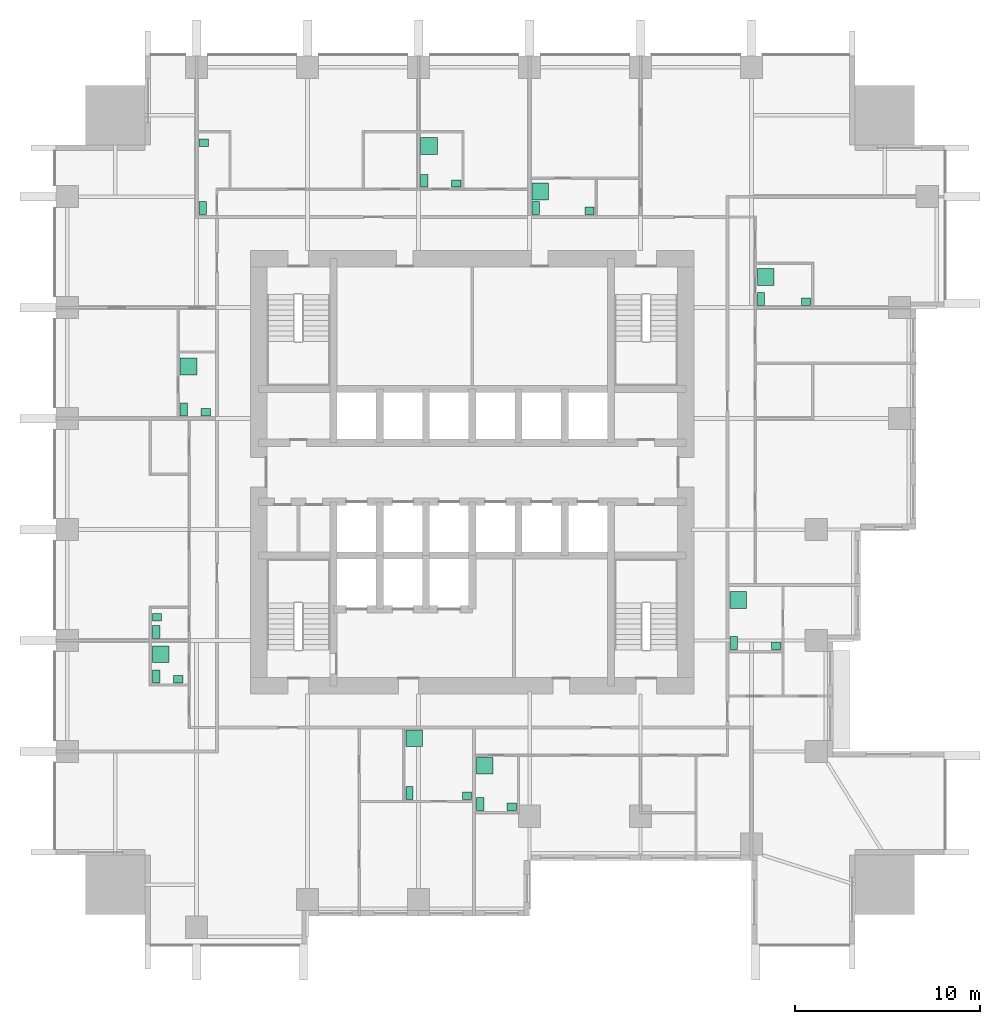
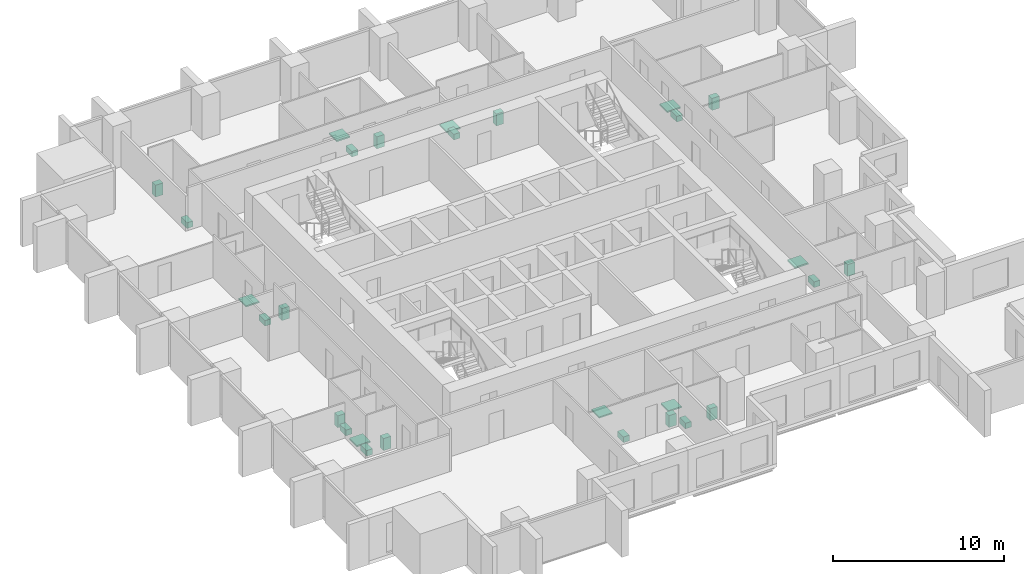
# One storey, part 10 of 10: 28 sanitary terminals.
"""IFC4 building model written with IfcOpenShell, lengths in metres."""

from ifc_helpers import new_model, si_unit, direction, frame, origin, origin_2d, place, context, subcontext, project, spatial, rectangle, extrude, element, save


model = new_model("IFC4")

# Units and contexts
model_context = context("Model", 3, precision=1e-05, world=origin(), true_north=direction((0.0, 1.0)))
body_context = subcontext(model_context, "Body", "Model", "MODEL_VIEW")
ifc_project = project(units=[si_unit("LENGTHUNIT", "METRE"), si_unit("AREAUNIT", "SQUARE_METRE"), si_unit("VOLUMEUNIT", "CUBIC_METRE"), si_unit("PLANEANGLEUNIT", "RADIAN"), si_unit("MASSUNIT", "GRAM", prefix="KILO")], contexts=[model_context])

# Site, building, storey
site_placement = place(None, origin())
site = spatial("IfcSite", under=ifc_project, at=site_placement, CompositionType="ELEMENT")
building_placement = place(site_placement, origin())
building = spatial("IfcBuilding", under=site, at=building_placement, Name="Amberfall Residences", CompositionType="ELEMENT")
storey_placement = place(building_placement, frame((0.0, 0.0, 36.699951171875)))
storey = spatial("IfcBuildingStorey", under=building, at=storey_placement, Name="L09", CompositionType="ELEMENT", Elevation=36.699951171875)

# Sanitary terminals
sanitary_terminal_1_placement = place(storey_placement, frame((71.110107421875, 28.159912109375, 0.0), z_axis=(0.0, 0.0, 1.0), x_axis=(1.0, 0.0, 0.0)))
element("IfcSanitaryTerminal", 1, at=sanitary_terminal_1_placement, inside=storey, Name="Water closet 0901", PredefinedType="TOILETPAN", context=body_context, shape_type="SweptSolid", body=[
    extrude(rectangle(XDim=0.39990234375, YDim=0.699951171875, at=origin_2d()), origin(), (0.0, 0.0, 1.0), 0.39990234375),
])
sanitary_terminal_2_placement = place(storey_placement, frame((74.215087890625, 28.010009765625, 0.0), z_axis=(0.0, 0.0, 1.0), x_axis=(1.0, 0.0, 0.0)))
element("IfcSanitaryTerminal", 2, at=sanitary_terminal_2_placement, inside=storey, Name="Basin 0901", PredefinedType="WASHHANDBASIN", context=body_context, shape_type="SweptSolid", body=[
    extrude(rectangle(XDim=0.5, YDim=0.39990234375, at=origin_2d()), origin(), (0.0, 0.0, 1.0), 0.85009765625),
])
sanitary_terminal_3_placement = place(storey_placement, frame((71.360107421875, 31.114990234375, 0.0), z_axis=(0.0, 0.0, 1.0), x_axis=(1.0, 0.0, 0.0)))
element("IfcSanitaryTerminal", 3, at=sanitary_terminal_3_placement, inside=storey, Name="Shower tray 0901", PredefinedType="SHOWER", context=body_context, shape_type="SweptSolid", body=[
    extrude(rectangle(XDim=0.89990234375, YDim=0.89990234375, at=origin_2d()), origin(), (0.0, 0.0, 1.0), 0.10009765625),
])
sanitary_terminal_4_placement = place(storey_placement, frame((74.93505859375, 27.56005859375, 0.0), z_axis=(0.0, 0.0, 1.0), x_axis=(1.0, 0.0, 0.0)))
element("IfcSanitaryTerminal", 4, at=sanitary_terminal_4_placement, inside=storey, Name="Water closet 0902", PredefinedType="TOILETPAN", context=body_context, shape_type="SweptSolid", body=[
    extrude(rectangle(XDim=0.39990234375, YDim=0.699951171875, at=origin_2d()), origin(), (0.0, 0.0, 1.0), 0.39990234375),
])
sanitary_terminal_5_placement = place(storey_placement, frame((76.639892578125, 27.409912109375, 0.0), z_axis=(0.0, 0.0, 1.0), x_axis=(1.0, 0.0, 0.0)))
element("IfcSanitaryTerminal", 5, at=sanitary_terminal_5_placement, inside=storey, Name="Basin 0902", PredefinedType="WASHHANDBASIN", context=body_context, shape_type="SweptSolid", body=[
    extrude(rectangle(XDim=0.5, YDim=0.39990234375, at=origin_2d()), origin(), (0.0, 0.0, 1.0), 0.85009765625),
])
sanitary_terminal_6_placement = place(storey_placement, frame((75.18505859375, 29.639892578125, 0.0), z_axis=(0.0, 0.0, 1.0), x_axis=(1.0, 0.0, 0.0)))
element("IfcSanitaryTerminal", 6, at=sanitary_terminal_6_placement, inside=storey, Name="Shower tray 0902", PredefinedType="SHOWER", context=body_context, shape_type="SweptSolid", body=[
    extrude(rectangle(XDim=0.89990234375, YDim=0.89990234375, at=origin_2d()), origin(), (0.0, 0.0, 1.0), 0.10009765625),
])
sanitary_terminal_7_placement = place(storey_placement, frame((88.635009765625, 36.260009765625, 0.0), z_axis=(0.0, 0.0, 1.0), x_axis=(1.0, 0.0, 0.0)))
element("IfcSanitaryTerminal", 7, at=sanitary_terminal_7_placement, inside=storey, Name="Water closet 0903", PredefinedType="TOILETPAN", context=body_context, shape_type="SweptSolid", body=[
    extrude(rectangle(XDim=0.39990234375, YDim=0.699951171875, at=origin_2d()), origin(), (0.0, 0.0, 1.0), 0.39990234375),
])
sanitary_terminal_8_placement = place(storey_placement, frame((90.93994140625, 36.110107421875, 0.0), z_axis=(0.0, 0.0, 1.0), x_axis=(1.0, 0.0, 0.0)))
element("IfcSanitaryTerminal", 8, at=sanitary_terminal_8_placement, inside=storey, Name="Basin 0903", PredefinedType="WASHHANDBASIN", context=body_context, shape_type="SweptSolid", body=[
    extrude(rectangle(XDim=0.5, YDim=0.39990234375, at=origin_2d()), origin(), (0.0, 0.0, 1.0), 0.85009765625),
])
sanitary_terminal_9_placement = place(storey_placement, frame((88.885009765625, 38.591796875, 0.0), z_axis=(0.0, 0.0, 1.0), x_axis=(1.0, 0.0, 0.0)))
element("IfcSanitaryTerminal", 9, at=sanitary_terminal_9_placement, inside=storey, Name="Shower tray 0903", PredefinedType="SHOWER", context=body_context, shape_type="SweptSolid", body=[
    extrude(rectangle(XDim=0.89990234375, YDim=0.89990234375, at=origin_2d()), origin(), (0.0, 0.0, 1.0), 0.10009765625),
])
sanitary_terminal_10_placement = place(storey_placement, frame((90.110107421875, 54.860107421875, 0.0), z_axis=(0.0, 0.0, 1.0), x_axis=(1.0, 0.0, 0.0)))
element("IfcSanitaryTerminal", 10, at=sanitary_terminal_10_placement, inside=storey, Name="Water closet 0904", PredefinedType="TOILETPAN", context=body_context, shape_type="SweptSolid", body=[
    extrude(rectangle(XDim=0.39990234375, YDim=0.699951171875, at=origin_2d()), origin(), (0.0, 0.0, 1.0), 0.39990234375),
])
sanitary_terminal_11_placement = place(storey_placement, frame((92.5400390625, 54.7099609375, 0.0), z_axis=(0.0, 0.0, 1.0), x_axis=(1.0, 0.0, 0.0)))
element("IfcSanitaryTerminal", 11, at=sanitary_terminal_11_placement, inside=storey, Name="Basin 0904", PredefinedType="WASHHANDBASIN", context=body_context, shape_type="SweptSolid", body=[
    extrude(rectangle(XDim=0.5, YDim=0.39990234375, at=origin_2d()), origin(), (0.0, 0.0, 1.0), 0.85009765625),
])
sanitary_terminal_12_placement = place(storey_placement, frame((90.360107421875, 56.05712890625, 0.0), z_axis=(0.0, 0.0, 1.0), x_axis=(1.0, 0.0, 0.0)))
element("IfcSanitaryTerminal", 12, at=sanitary_terminal_12_placement, inside=storey, Name="Shower tray 0904", PredefinedType="SHOWER", context=body_context, shape_type="SweptSolid", body=[
    extrude(rectangle(XDim=0.89990234375, YDim=0.89990234375, at=origin_2d()), origin(), (0.0, 0.0, 1.0), 0.10009765625),
])
sanitary_terminal_13_placement = place(storey_placement, frame((59.93505859375, 59.784912109375, 0.0), z_axis=(0.0, 0.0, 1.0), x_axis=(1.0, 0.0, 0.0)))
element("IfcSanitaryTerminal", 13, at=sanitary_terminal_13_placement, inside=storey, Name="Water closet 0905 1", PredefinedType="TOILETPAN", context=body_context, shape_type="SweptSolid", body=[
    extrude(rectangle(XDim=0.39990234375, YDim=0.699951171875, at=origin_2d()), origin(), (0.0, 0.0, 1.0), 0.39990234375),
])
sanitary_terminal_14_placement = place(storey_placement, frame((59.985107421875, 63.3076171875, 0.0), z_axis=(0.0, 0.0, 1.0), x_axis=(1.0, 0.0, 0.0)))
element("IfcSanitaryTerminal", 14, at=sanitary_terminal_14_placement, inside=storey, Name="Basin 0905 1", PredefinedType="WASHHANDBASIN", context=body_context, shape_type="SweptSolid", body=[
    extrude(rectangle(XDim=0.5, YDim=0.39990234375, at=origin_2d()), origin(), (0.0, 0.0, 1.0), 0.85009765625),
])
sanitary_terminal_15_placement = place(storey_placement, frame((71.909912109375, 61.260009765625, 0.0), z_axis=(0.0, 0.0, 1.0), x_axis=(1.0, 0.0, 0.0)))
element("IfcSanitaryTerminal", 15, at=sanitary_terminal_15_placement, inside=storey, Name="Water closet 0905", PredefinedType="TOILETPAN", context=body_context, shape_type="SweptSolid", body=[
    extrude(rectangle(XDim=0.39990234375, YDim=0.699951171875, at=origin_2d()), origin(), (0.0, 0.0, 1.0), 0.39990234375),
])
sanitary_terminal_16_placement = place(storey_placement, frame((73.639892578125, 61.110107421875, 0.0), z_axis=(0.0, 0.0, 1.0), x_axis=(1.0, 0.0, 0.0)))
element("IfcSanitaryTerminal", 16, at=sanitary_terminal_16_placement, inside=storey, Name="Basin 0905", PredefinedType="WASHHANDBASIN", context=body_context, shape_type="SweptSolid", body=[
    extrude(rectangle(XDim=0.5, YDim=0.39990234375, at=origin_2d()), origin(), (0.0, 0.0, 1.0), 0.85009765625),
])
sanitary_terminal_17_placement = place(storey_placement, frame((72.159912109375, 63.14208984375, 0.0), z_axis=(0.0, 0.0, 1.0), x_axis=(1.0, 0.0, 0.0)))
element("IfcSanitaryTerminal", 17, at=sanitary_terminal_17_placement, inside=storey, Name="Shower tray 0905", PredefinedType="SHOWER", context=body_context, shape_type="SweptSolid", body=[
    extrude(rectangle(XDim=0.89990234375, YDim=0.89990234375, at=origin_2d()), origin(), (0.0, 0.0, 1.0), 0.10009765625),
])
sanitary_terminal_18_placement = place(storey_placement, frame((77.93505859375, 59.784912109375, 0.0), z_axis=(0.0, 0.0, 1.0), x_axis=(1.0, 0.0, 0.0)))
element("IfcSanitaryTerminal", 18, at=sanitary_terminal_18_placement, inside=storey, Name="Water closet 0906", PredefinedType="TOILETPAN", context=body_context, shape_type="SweptSolid", body=[
    extrude(rectangle(XDim=0.39990234375, YDim=0.699951171875, at=origin_2d()), origin(), (0.0, 0.0, 1.0), 0.39990234375),
])
sanitary_terminal_19_placement = place(storey_placement, frame((80.840087890625, 59.635009765625, 0.0), z_axis=(0.0, 0.0, 1.0), x_axis=(1.0, 0.0, 0.0)))
element("IfcSanitaryTerminal", 19, at=sanitary_terminal_19_placement, inside=storey, Name="Basin 0906", PredefinedType="WASHHANDBASIN", context=body_context, shape_type="SweptSolid", body=[
    extrude(rectangle(XDim=0.5, YDim=0.39990234375, at=origin_2d()), origin(), (0.0, 0.0, 1.0), 0.85009765625),
])
sanitary_terminal_20_placement = place(storey_placement, frame((78.18505859375, 60.680908203125, 0.0), z_axis=(0.0, 0.0, 1.0), x_axis=(1.0, 0.0, 0.0)))
element("IfcSanitaryTerminal", 20, at=sanitary_terminal_20_placement, inside=storey, Name="Shower tray 0906", PredefinedType="SHOWER", context=body_context, shape_type="SweptSolid", body=[
    extrude(rectangle(XDim=0.89990234375, YDim=0.89990234375, at=origin_2d()), origin(), (0.0, 0.0, 1.0), 0.10009765625),
])
sanitary_terminal_21_placement = place(storey_placement, frame((57.409912109375, 36.860107421875, 0.0), z_axis=(0.0, 0.0, 1.0), x_axis=(1.0, 0.0, 0.0)))
element("IfcSanitaryTerminal", 21, at=sanitary_terminal_21_placement, inside=storey, Name="Water closet 0907 1", PredefinedType="TOILETPAN", context=body_context, shape_type="SweptSolid", body=[
    extrude(rectangle(XDim=0.39990234375, YDim=0.699951171875, at=origin_2d()), origin(), (0.0, 0.0, 1.0), 0.39990234375),
])
sanitary_terminal_22_placement = place(storey_placement, frame((57.4599609375, 37.654052734375, 0.0), z_axis=(0.0, 0.0, 1.0), x_axis=(1.0, 0.0, 0.0)))
element("IfcSanitaryTerminal", 22, at=sanitary_terminal_22_placement, inside=storey, Name="Basin 0907 1", PredefinedType="WASHHANDBASIN", context=body_context, shape_type="SweptSolid", body=[
    extrude(rectangle(XDim=0.5, YDim=0.39990234375, at=origin_2d()), origin(), (0.0, 0.0, 1.0), 0.85009765625),
])
sanitary_terminal_23_placement = place(storey_placement, frame((57.409912109375, 34.4599609375, 0.0), z_axis=(0.0, 0.0, 1.0), x_axis=(1.0, 0.0, 0.0)))
element("IfcSanitaryTerminal", 23, at=sanitary_terminal_23_placement, inside=storey, Name="Water closet 0907", PredefinedType="TOILETPAN", context=body_context, shape_type="SweptSolid", body=[
    extrude(rectangle(XDim=0.39990234375, YDim=0.699951171875, at=origin_2d()), origin(), (0.0, 0.0, 1.0), 0.39990234375),
])
sanitary_terminal_24_placement = place(storey_placement, frame((58.610107421875, 34.31005859375, 0.0), z_axis=(0.0, 0.0, 1.0), x_axis=(1.0, 0.0, 0.0)))
element("IfcSanitaryTerminal", 24, at=sanitary_terminal_24_placement, inside=storey, Name="Basin 0907", PredefinedType="WASHHANDBASIN", context=body_context, shape_type="SweptSolid", body=[
    extrude(rectangle(XDim=0.5, YDim=0.39990234375, at=origin_2d()), origin(), (0.0, 0.0, 1.0), 0.85009765625),
])
sanitary_terminal_25_placement = place(storey_placement, frame((57.659912109375, 35.6572265625, 0.0), z_axis=(0.0, 0.0, 1.0), x_axis=(1.0, 0.0, 0.0)))
element("IfcSanitaryTerminal", 25, at=sanitary_terminal_25_placement, inside=storey, Name="Shower tray 0907", PredefinedType="SHOWER", context=body_context, shape_type="SweptSolid", body=[
    extrude(rectangle(XDim=0.89990234375, YDim=0.89990234375, at=origin_2d()), origin(), (0.0, 0.0, 1.0), 0.10009765625),
])
sanitary_terminal_26_placement = place(storey_placement, frame((58.909912109375, 48.885009765625, 0.0), z_axis=(0.0, 0.0, 1.0), x_axis=(1.0, 0.0, 0.0)))
element("IfcSanitaryTerminal", 26, at=sanitary_terminal_26_placement, inside=storey, Name="Water closet 0908", PredefinedType="TOILETPAN", context=body_context, shape_type="SweptSolid", body=[
    extrude(rectangle(XDim=0.39990234375, YDim=0.699951171875, at=origin_2d()), origin(), (0.0, 0.0, 1.0), 0.39990234375),
])
sanitary_terminal_27_placement = place(storey_placement, frame((60.089111328125, 48.735107421875, 0.0), z_axis=(0.0, 0.0, 1.0), x_axis=(1.0, 0.0, 0.0)))
element("IfcSanitaryTerminal", 27, at=sanitary_terminal_27_placement, inside=storey, Name="Basin 0908", PredefinedType="WASHHANDBASIN", context=body_context, shape_type="SweptSolid", body=[
    extrude(rectangle(XDim=0.5, YDim=0.39990234375, at=origin_2d()), origin(), (0.0, 0.0, 1.0), 0.85009765625),
])
sanitary_terminal_28_placement = place(storey_placement, frame((59.159912109375, 51.216796875, 0.0), z_axis=(0.0, 0.0, 1.0), x_axis=(1.0, 0.0, 0.0)))
element("IfcSanitaryTerminal", 28, at=sanitary_terminal_28_placement, inside=storey, Name="Shower tray 0908", PredefinedType="SHOWER", context=body_context, shape_type="SweptSolid", body=[
    extrude(rectangle(XDim=0.89990234375, YDim=0.89990234375, at=origin_2d()), origin(), (0.0, 0.0, 1.0), 0.10009765625),
])

save(model, "model.ifc")
